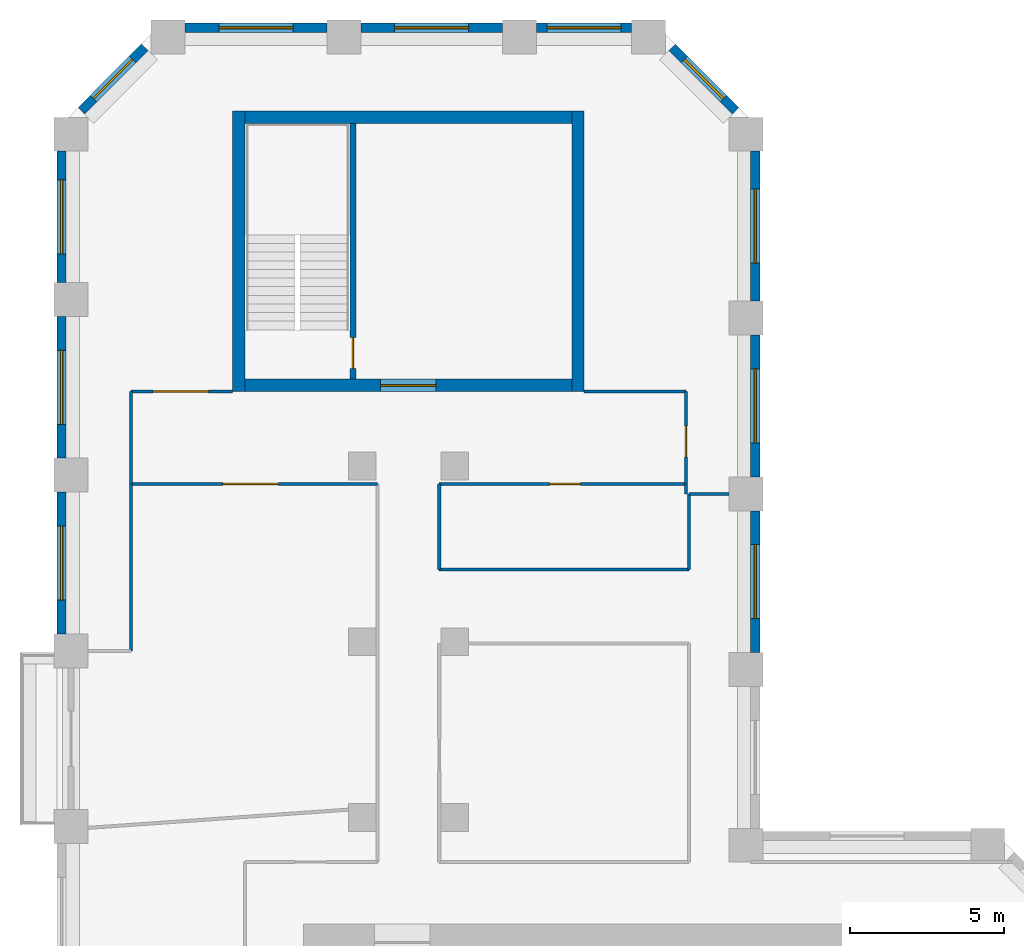
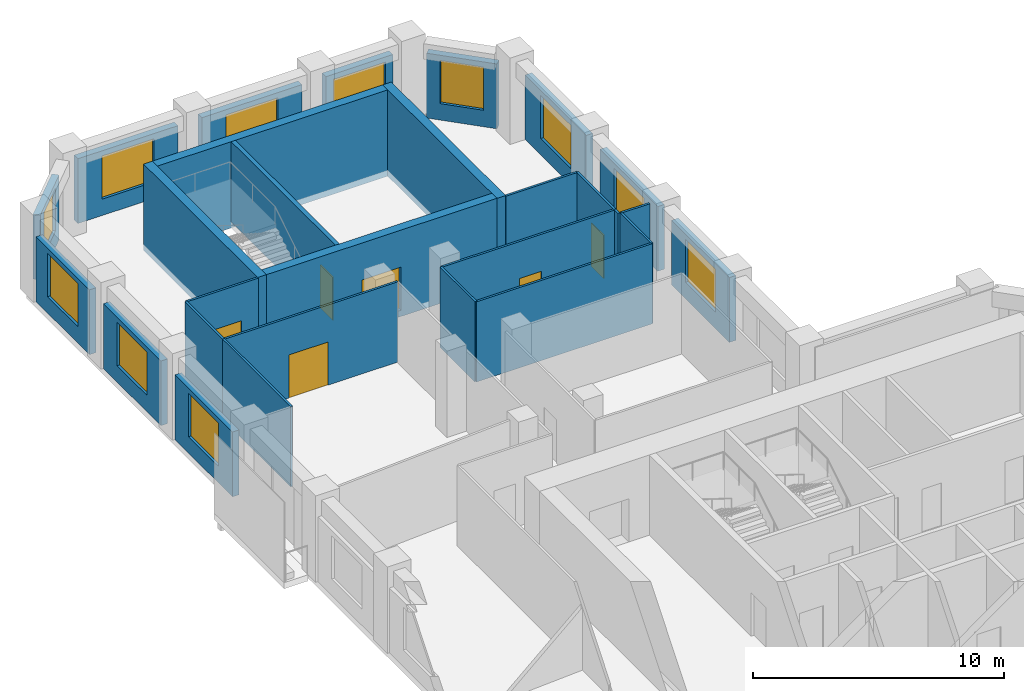
# One storey, part 8 of 10: 28 walls, 11 windows, 6 doors, 17 openings.
"""IFC4 building model written with IfcOpenShell, lengths in metres."""

import ifcopenshell
import ifcopenshell.guid

model = None  # the IFC model being written
_history = None  # IfcOwnerHistory: only IFC2X3 demands one
_inside = {}  # id of a spatial element -> (the spatial element, [elements in it])
_under = {}  # id of a project, library or spatial element -> (it, [spatial elements below it])
_declared = {}  # id of a project -> (the project, [libraries it declares])
_typed = {}  # id of a type object -> (the type object, [elements of that type])
_made_of = {}  # id of a material, layer set ... -> (it, [elements and type objects made of it])


def new_model(schema):
    """Start an empty IFC model of exactly this schema.

    Asked for "IFC4X3", IfcOpenShell would pick the latest addendum, in which some entities
    have other attributes; the version numbers below select the first issue.
    IFC2X3 requires an IfcOwnerHistory on every rooted entity: one is made here for all.
    """
    global model, _history
    if schema == "IFC4X3":
        model = ifcopenshell.file(schema_version=(4, 3, 0, 0))
    else:
        model = ifcopenshell.file(schema=schema)
    _inside.clear()
    _under.clear()
    _declared.clear()
    _typed.clear()
    _made_of.clear()
    _history = None
    if model.schema == "IFC2X3":
        org = make("IfcOrganization", Name="unknown")
        user = make(
            "IfcPersonAndOrganization",
            ThePerson=make("IfcPerson", FamilyName="unknown"),
            TheOrganization=org,
        )
        app = make(
            "IfcApplication",
            ApplicationDeveloper=org,
            Version="unknown",
            ApplicationFullName="unknown",
            ApplicationIdentifier="unknown",
        )
        _history = make(
            "IfcOwnerHistory",
            OwningUser=user,
            OwningApplication=app,
            ChangeAction="ADDED",
            CreationDate=0,
        )
    return model


def make(cls, **values):
    """One entity of the class cls with the attributes given. An attribute that is None is left unset."""
    return model.create_entity(
        cls, **{name: value for name, value in values.items() if value is not None}
    )


def rooted(cls, **values):
    """An entity with a GlobalId (a new one), such as an element, a storey or a relation."""
    return make(cls, GlobalId=ifcopenshell.guid.new(), OwnerHistory=_history, **values)


def si_unit(unit_type, name, prefix=None):
    """IfcSIUnit, for example si_unit("LENGTHUNIT", "METRE", prefix="MILLI")."""
    return make("IfcSIUnit", UnitType=unit_type, Prefix=prefix, Name=name)


def assignment(units):
    """IfcUnitAssignment: the units of a project."""
    return None if units is None else make("IfcUnitAssignment", Units=units)


def point(xyz):
    """IfcCartesianPoint."""
    return None if xyz is None else make("IfcCartesianPoint", Coordinates=xyz)


def direction(xyz):
    """IfcDirection."""
    return None if xyz is None else make("IfcDirection", DirectionRatios=xyz)


def frame(location, z_axis=None, x_axis=None):
    """IfcAxis2Placement3D, a coordinate frame: its origin and axes. An axis left out is left unset."""
    return make(
        "IfcAxis2Placement3D",
        Location=point(location),
        Axis=direction(z_axis),
        RefDirection=direction(x_axis),
    )


def frame_2d(location, x_axis=None):
    """IfcAxis2Placement2D, a coordinate frame in the plane: its origin and x axis."""
    return make(
        "IfcAxis2Placement2D", Location=point(location), RefDirection=direction(x_axis)
    )


def origin():
    """The frame at (0, 0, 0) with its axes left unset."""
    return frame((0.0, 0.0, 0.0))


def place(relative_to, where):
    """IfcLocalPlacement: puts the frame where relative to a parent placement (None: the world)."""
    return make(
        "IfcLocalPlacement", PlacementRelTo=relative_to, RelativePlacement=where
    )


def context(
    kind, dimensions, precision=None, world=None, true_north=None, identifier=None
):
    """IfcGeometricRepresentationContext, for example the 3D "Model" context."""
    return make(
        "IfcGeometricRepresentationContext",
        ContextIdentifier=identifier,
        ContextType=kind,
        CoordinateSpaceDimension=dimensions,
        Precision=precision,
        WorldCoordinateSystem=world,
        TrueNorth=true_north,
    )


def subcontext(parent, identifier, kind, view, scale=None):
    """IfcGeometricRepresentationSubContext, for example "Body" below "Model"."""
    return make(
        "IfcGeometricRepresentationSubContext",
        ContextIdentifier=identifier,
        ContextType=kind,
        ParentContext=parent,
        TargetScale=scale,
        TargetView=view,
    )


def project(units=None, contexts=None):
    """IfcProject with its units and contexts."""
    return rooted(
        "IfcProject",
        Name="project",
        RepresentationContexts=contexts,
        UnitsInContext=assignment(units),
    )


def spatial(cls, under=None, at=None, **own):
    """A site, building, storey or space (cls), placed at a placement, below another one or the project."""
    s = rooted(cls, ObjectPlacement=at, **own)
    if under is not None:
        _under.setdefault(under.id(), (under, []))[1].append(s)
    return s


def profile(cls, at=None, kind="AREA", **sizes):
    """A parametric profile (cls). Its sizes go by their IFC names, for example OverallWidth=200.0."""
    return make(cls, ProfileType=kind, Position=at, **sizes)


def rectangle(**sizes):
    """IfcRectangleProfileDef."""
    return profile("IfcRectangleProfileDef", **sizes)


def extrude(swept, where, along, depth):
    """IfcExtrudedAreaSolid: the profile swept, set in the frame where, extruded along a direction by depth."""
    return make(
        "IfcExtrudedAreaSolid",
        SweptArea=swept,
        Position=where,
        ExtrudedDirection=direction(along),
        Depth=depth,
    )


def shape(context_of_items, identifier, shape_type, items):
    """IfcShapeRepresentation: the items that make up one representation, for example the "Body"."""
    return make(
        "IfcShapeRepresentation",
        ContextOfItems=context_of_items,
        RepresentationIdentifier=identifier,
        RepresentationType=shape_type,
        Items=items,
    )


def material(Name=None, Category=None):
    """IfcMaterial."""
    return make("IfcMaterial", Name=Name, Category=Category)


def layer(
    of_material, thickness, ventilated=None, Name=None, Category=None, Priority=None
):
    """IfcMaterialLayer: one layer of a wall or slab, of a material (None: an air gap)."""
    return make(
        "IfcMaterialLayer",
        Material=of_material,
        LayerThickness=thickness,
        IsVentilated=ventilated,
        Name=Name,
        Category=Category,
        Priority=Priority,
    )


def layer_set(layers, Name=None):
    """IfcMaterialLayerSet."""
    return make("IfcMaterialLayerSet", MaterialLayers=layers, LayerSetName=Name)


def made_of(thing, what):
    """Note that an element or type object is made of a material, layer set ...; save() writes the relation."""
    if what is not None:
        _made_of.setdefault(what.id(), (what, []))[1].append(thing)
    return thing


def type_object(cls, material=None, **own):
    """A type object (cls), such as IfcWallType, which elements share."""
    return made_of(rooted(cls, **own), material)


def element(
    cls,
    number,
    at=None,
    inside=None,
    cuts=None,
    type_object=None,
    material=None,
    context=None,
    identifier="Body",
    shape_type=None,
    held_by="IfcProductDefinitionShape",
    body=None,
    shapes=None,
    **own,
):
    """One element of the class cls, such as IfcWall. Its Tag is "e" and its number.

    at: its placement. inside: the storey or other place that contains it. cuts: it is an
    opening in that element (IfcRelVoidsElement). A single representation is given by context,
    identifier, shape_type and body (its items); several are given by shapes. held_by: the class
    of the entity that holds the representations. save() writes the other relations.
    """
    e = rooted(cls, Tag="e%d" % number, ObjectPlacement=at, **own)
    if body is not None:
        shapes = [shape(context, identifier, shape_type, body)]
    if shapes is not None:
        e.Representation = make(held_by, Representations=shapes)
    if inside is not None:
        _inside.setdefault(inside.id(), (inside, []))[1].append(e)
    if cuts is not None:
        rooted(
            "IfcRelVoidsElement", RelatingBuildingElement=cuts, RelatedOpeningElement=e
        )
    if type_object is not None:
        _typed.setdefault(type_object.id(), (type_object, []))[1].append(e)
    return made_of(e, material)


def fill(opening, filler):
    """IfcRelFillsElement: the door or window that sits in an opening."""
    return rooted(
        "IfcRelFillsElement",
        RelatingOpeningElement=opening,
        RelatedBuildingElement=filler,
    )


def aggregate(whole, parts):
    """IfcRelAggregates: a whole, such as a stair, and the parts it consists of."""
    return rooted("IfcRelAggregates", RelatingObject=whole, RelatedObjects=parts)


def save(model, path):
    """Write the relations noted so far, then the file.

    IfcRelAggregates (storeys below a building ...), IfcRelContainedInSpatialStructure (elements
    in a storey), IfcRelDefinesByType, IfcRelAssociatesMaterial and IfcRelDeclares: one each for
    every whole, place, type object, material and project.
    """
    for whole, parts in _under.values():
        aggregate(whole, parts)
    for where, things in _inside.values():
        rooted(
            "IfcRelContainedInSpatialStructure",
            RelatedElements=things,
            RelatingStructure=where,
        )
    for kind, things in _typed.values():
        rooted("IfcRelDefinesByType", RelatedObjects=things, RelatingType=kind)
    for what, things in _made_of.values():
        rooted("IfcRelAssociatesMaterial", RelatedObjects=things, RelatingMaterial=what)
    for by, libraries in _declared.values():
        rooted("IfcRelDeclares", RelatingContext=by, RelatedDefinitions=libraries)
    model.write(path)


model = new_model("IFC4")

# Units and contexts
model_context = context("Model", 3, precision=1e-05, world=origin(), true_north=direction((0.0, 1.0)))
body_context = subcontext(model_context, "Body", "Model", "MODEL_VIEW")
ifc_project = project(units=[si_unit("LENGTHUNIT", "METRE"), si_unit("AREAUNIT", "SQUARE_METRE"), si_unit("VOLUMEUNIT", "CUBIC_METRE"), si_unit("PLANEANGLEUNIT", "RADIAN"), si_unit("MASSUNIT", "GRAM", prefix="KILO")], contexts=[model_context])

# Site, building, storey
site_placement = place(None, origin())
site = spatial("IfcSite", under=ifc_project, at=site_placement, CompositionType="ELEMENT")
building_placement = place(site_placement, origin())
building = spatial("IfcBuilding", under=site, at=building_placement, Name="Meshkara Civic Tower", CompositionType="ELEMENT")
storey_placement = place(building_placement, frame((0.0, 0.0, 238.199951171875)))
storey = spatial("IfcBuildingStorey", under=building, at=storey_placement, Name="L54", CompositionType="ELEMENT", Elevation=238.199951171875)

# Wall, opening, door
ifc_material_1 = material(Name="Corridor wall 100")
ifc_layer_1 = layer(ifc_material_1, 0.10009765625)
ifc_layer_set_1 = layer_set([ifc_layer_1], Name="Corridor wall 100")
wall_type_1 = type_object("IfcWallType", Name="Corridor wall 100", PredefinedType="PARTITIONING", material=ifc_layer_set_1)
wall_1_placement = place(storey_placement, frame((2.39990234375, 51.169921875, 0.0), z_axis=(0.0, 0.0, 1.0), x_axis=(1.0, 0.0, 0.0)))
wall_1 = element("IfcWall", 1, at=wall_1_placement, inside=storey, type_object=wall_type_1, Name="L54-W001", PredefinedType="PARTITIONING", context=body_context, shape_type="SweptSolid", body=[
    extrude(rectangle(XDim=8.0, YDim=0.10009765625, at=frame_2d((4.0, 0.0))), origin(), (0.0, 0.0, 1.0), 3.900146484375),
])
opening_1_placement = place(wall_1_placement, frame((2.97998046875, 0.0, 0.0)))
opening_1 = element("IfcOpeningElement", 2, at=opening_1_placement, cuts=wall_1, Name="Opening L54-D019", PredefinedType="OPENING", context=body_context, shape_type="SweptSolid", body=[
    extrude(rectangle(XDim=1.800048828125, YDim=2.10009765625, at=frame_2d((0.89990234375, 1.050048828125))), frame((0.0, 0.06005859375, 0.0), z_axis=(0.0, -1.0, 0.0), x_axis=(1.0, 0.0, 0.0)), (0.0, 0.0, 1.0), 0.1201171875),
])
ifc_material_2 = material(Name="Door pair 1800 x 2100")
door_type_1 = type_object("IfcDoorType", Name="Door pair 1800 x 2100", OperationType="SINGLE_SWING_LEFT", PredefinedType="DOOR", material=ifc_material_2)
door_1_placement = place(opening_1_placement, origin())
door_1 = element("IfcDoor", 3, at=door_1_placement, inside=storey, type_object=door_type_1, Name="L54-D019", OperationType="DOUBLE_DOOR_SINGLE_SWING", OverallHeight=2.10009765625, OverallWidth=1.800048828125, PredefinedType="DOOR", context=body_context, shape_type="SweptSolid", body=[
    extrude(rectangle(XDim=1.800048828125, YDim=2.10009765625, at=frame_2d((0.89990234375, 1.050048828125))), frame((0.0, 0.02490234375, 0.0), z_axis=(0.0, -1.0, 0.0), x_axis=(1.0, 0.0, 0.0)), (0.0, 0.0, 1.0), 0.050048828125),
])
fill(opening_1, door_1)

# Wall
wall_2_placement = place(storey_placement, frame((2.39990234375, 54.169921875, 0.0), z_axis=(0.0, 0.0, 1.0), x_axis=(0.0, -1.0, 0.0)))
element("IfcWall", 4, at=wall_2_placement, inside=storey, type_object=wall_type_1, Name="L54-W002", PredefinedType="PARTITIONING", context=body_context, shape_type="SweptSolid", body=[
    extrude(rectangle(XDim=3.0, YDim=0.10009765625, at=frame_2d((1.5, 0.0))), origin(), (0.0, 0.0, 1.0), 3.900146484375),
])

# Wall, opening, door
wall_3_placement = place(storey_placement, frame((5.699951171875, 54.169921875, 0.0), z_axis=(0.0, 0.0, 1.0), x_axis=(-1.0, 0.0, 0.0)))
wall_3 = element("IfcWall", 5, at=wall_3_placement, inside=storey, type_object=wall_type_1, Name="L54-W003", PredefinedType="PARTITIONING", context=body_context, shape_type="SweptSolid", body=[
    extrude(rectangle(XDim=3.300048828125, YDim=0.10009765625, at=frame_2d((1.64990234375, 0.0))), origin(), (0.0, 0.0, 1.0), 3.900146484375),
])
opening_2_placement = place(wall_3_placement, frame((0.780029296875, 0.0, 0.0)))
opening_2 = element("IfcOpeningElement", 6, at=opening_2_placement, cuts=wall_3, Name="Opening L54-D022", PredefinedType="OPENING", context=body_context, shape_type="SweptSolid", body=[
    extrude(rectangle(XDim=1.800048828125, YDim=2.10009765625, at=frame_2d((0.89990234375, 1.050048828125))), frame((0.0, 0.06005859375, 0.0), z_axis=(0.0, -1.0, 0.0), x_axis=(1.0, 0.0, 0.0)), (0.0, 0.0, 1.0), 0.1201171875),
])
door_2_placement = place(opening_2_placement, origin())
door_2 = element("IfcDoor", 7, at=door_2_placement, inside=storey, type_object=door_type_1, Name="L54-D022", OperationType="DOUBLE_DOOR_SINGLE_SWING", OverallHeight=2.10009765625, OverallWidth=1.800048828125, PredefinedType="DOOR", context=body_context, shape_type="SweptSolid", body=[
    extrude(rectangle(XDim=1.800048828125, YDim=2.10009765625, at=frame_2d((0.89990234375, 1.050048828125))), frame((0.0, 0.02490234375, 0.0), z_axis=(0.0, -1.0, 0.0), x_axis=(1.0, 0.0, 0.0)), (0.0, 0.0, 1.0), 0.050048828125),
])
fill(opening_2, door_2)

# Wall
wall_4_placement = place(storey_placement, frame((12.39990234375, 48.39990234375, 0.0), z_axis=(0.0, 0.0, 1.0), x_axis=(0.0, 1.0, 0.0)))
element("IfcWall", 8, at=wall_4_placement, inside=storey, type_object=wall_type_1, Name="L54-W014", PredefinedType="PARTITIONING", context=body_context, shape_type="SweptSolid", body=[
    extrude(rectangle(XDim=2.77001953125, YDim=0.10009765625, at=frame_2d((1.385009765625, 0.0))), origin(), (0.0, 0.0, 1.0), 3.900146484375),
])

# Wall, opening, door
wall_5_placement = place(storey_placement, frame((12.39990234375, 51.169921875, 0.0), z_axis=(0.0, 0.0, 1.0), x_axis=(1.0, 0.0, 0.0)))
wall_5 = element("IfcWall", 9, at=wall_5_placement, inside=storey, type_object=wall_type_1, Name="L54-W015", PredefinedType="PARTITIONING", context=body_context, shape_type="SweptSolid", body=[
    extrude(rectangle(XDim=8.0, YDim=0.10009765625, at=frame_2d((4.0, 0.0))), origin(), (0.0, 0.0, 1.0), 3.900146484375),
])
opening_3_placement = place(wall_5_placement, frame((3.580078125, 0.0, 0.0)))
opening_3 = element("IfcOpeningElement", 10, at=opening_3_placement, cuts=wall_5, Name="Opening L54-D020", PredefinedType="OPENING", context=body_context, shape_type="SweptSolid", body=[
    extrude(rectangle(XDim=1.0, YDim=2.10009765625, at=frame_2d((0.5, 1.050048828125))), frame((0.0, 0.06005859375, 0.0), z_axis=(0.0, -1.0, 0.0), x_axis=(1.0, 0.0, 0.0)), (0.0, 0.0, 1.0), 0.1201171875),
])
ifc_material_3 = material(Name="Door 1000 x 2100")
door_type_2 = type_object("IfcDoorType", Name="Door 1000 x 2100", OperationType="SINGLE_SWING_LEFT", PredefinedType="DOOR", material=ifc_material_3)
door_3_placement = place(opening_3_placement, origin())
door_3 = element("IfcDoor", 11, at=door_3_placement, inside=storey, type_object=door_type_2, Name="L54-D020", OperationType="SINGLE_SWING_LEFT", OverallHeight=2.10009765625, OverallWidth=1.0, PredefinedType="DOOR", context=body_context, shape_type="SweptSolid", body=[
    extrude(rectangle(XDim=1.0, YDim=2.10009765625, at=frame_2d((0.5, 1.050048828125))), frame((0.0, 0.02490234375, 0.0), z_axis=(0.0, -1.0, 0.0), x_axis=(1.0, 0.0, 0.0)), (0.0, 0.0, 1.0), 0.050048828125),
])
fill(opening_3, door_3)

wall_6_placement = place(storey_placement, frame((20.39990234375, 51.169921875, 0.0), z_axis=(0.0, 0.0, 1.0), x_axis=(0.0, 1.0, 0.0)))
wall_6 = element("IfcWall", 12, at=wall_6_placement, inside=storey, type_object=wall_type_1, Name="L54-W018", PredefinedType="PARTITIONING", context=body_context, shape_type="SweptSolid", body=[
    extrude(rectangle(XDim=3.0, YDim=0.10009765625, at=frame_2d((1.5, 0.0))), origin(), (0.0, 0.0, 1.0), 3.900146484375),
])
opening_4_placement = place(wall_6_placement, frame((0.8798828125, 0.0, 0.0)))
opening_4 = element("IfcOpeningElement", 13, at=opening_4_placement, cuts=wall_6, Name="Opening L54-D021", PredefinedType="OPENING", context=body_context, shape_type="SweptSolid", body=[
    extrude(rectangle(XDim=1.0, YDim=2.10009765625, at=frame_2d((0.5, 1.050048828125))), frame((0.0, 0.06005859375, 0.0), z_axis=(0.0, -1.0, 0.0), x_axis=(1.0, 0.0, 0.0)), (0.0, 0.0, 1.0), 0.1201171875),
])
door_4_placement = place(opening_4_placement, origin())
door_4 = element("IfcDoor", 14, at=door_4_placement, inside=storey, type_object=door_type_2, Name="L54-D021", OperationType="SINGLE_SWING_RIGHT", OverallHeight=2.10009765625, OverallWidth=1.0, PredefinedType="DOOR", context=body_context, shape_type="SweptSolid", body=[
    extrude(rectangle(XDim=1.0, YDim=2.10009765625, at=frame_2d((0.5, 1.050048828125))), frame((0.0, 0.02490234375, 0.0), z_axis=(0.0, -1.0, 0.0), x_axis=(1.0, 0.0, 0.0)), (0.0, 0.0, 1.0), 0.050048828125),
])
fill(opening_4, door_4)

# Walls
wall_7_placement = place(storey_placement, frame((20.39990234375, 54.169921875, 0.0), z_axis=(0.0, 0.0, 1.0), x_axis=(-1.0, 0.0, 0.0)))
element("IfcWall", 15, at=wall_7_placement, inside=storey, type_object=wall_type_1, Name="L54-W019", PredefinedType="PARTITIONING", context=body_context, shape_type="SweptSolid", body=[
    extrude(rectangle(XDim=3.2998046875, YDim=0.10009765625, at=frame_2d((1.64990234375, 0.0))), origin(), (0.0, 0.0, 1.0), 3.900146484375),
])
wall_8_placement = place(storey_placement, frame((20.5, 48.39990234375, 0.0), z_axis=(0.0, 0.0, 1.0), x_axis=(-1.0, 0.0, 0.0)))
element("IfcWall", 16, at=wall_8_placement, inside=storey, type_object=wall_type_1, Name="L54-W022", PredefinedType="PARTITIONING", context=body_context, shape_type="SweptSolid", body=[
    extrude(rectangle(XDim=8.10009765625, YDim=0.10009765625, at=frame_2d((4.050048828125, 0.0))), origin(), (0.0, 0.0, 1.0), 3.900146484375),
])
wall_9_placement = place(storey_placement, frame((20.5, 50.85009765625, 0.0), z_axis=(0.0, 0.0, 1.0), x_axis=(0.0, -1.0, 0.0)))
element("IfcWall", 17, at=wall_9_placement, inside=storey, type_object=wall_type_1, Name="L54-W023", PredefinedType="PARTITIONING", context=body_context, shape_type="SweptSolid", body=[
    extrude(rectangle(XDim=2.4501953125, YDim=0.10009765625, at=frame_2d((1.22509765625, 0.0))), origin(), (0.0, 0.0, 1.0), 3.900146484375),
])
wall_10_placement = place(storey_placement, frame((21.800048828125, 50.85009765625, 0.0), z_axis=(0.0, 0.0, 1.0), x_axis=(-1.0, 0.0, 0.0)))
element("IfcWall", 18, at=wall_10_placement, inside=storey, type_object=wall_type_1, Name="L54-W024", PredefinedType="PARTITIONING", context=body_context, shape_type="SweptSolid", body=[
    extrude(rectangle(XDim=1.300048828125, YDim=0.10009765625, at=frame_2d((0.64990234375, 0.0))), origin(), (0.0, 0.0, 1.0), 3.900146484375),
])

# Wall, opening, window
ifc_material_4 = material(Name="Insulated infill panel with bronze anodised aluminium cladding", Category="aluminium")
ifc_layer_2 = layer(ifc_material_4, 0.300048828125)
ifc_layer_set_2 = layer_set([ifc_layer_2], Name="EXTERNAL INFILL WALL 300")
wall_type_2 = type_object("IfcWallType", Name="EXTERNAL INFILL WALL 300", PredefinedType="SOLIDWALL", material=ifc_layer_set_2)
wall_11_placement = place(storey_placement, frame((22.64990234375, 45.699951171875, 0.0), z_axis=(0.0, 0.0, 1.0), x_axis=(0.0, 1.0, 0.0)))
wall_11 = element("IfcWall", 19, at=wall_11_placement, inside=storey, type_object=wall_type_2, Name="External wall", PredefinedType="SOLIDWALL", context=body_context, shape_type="SweptSolid", body=[
    extrude(rectangle(XDim=4.60009765625, YDim=0.300048828125, at=frame_2d((2.300048828125, 0.0))), origin(), (0.0, 0.0, 1.0), 3.150146484375),
])
opening_5_placement = place(wall_11_placement, frame((1.10009765625, 0.0, 0.800048828125)))
opening_5 = element("IfcOpeningElement", 20, at=opening_5_placement, cuts=wall_11, Name="Opening W7", PredefinedType="OPENING", context=body_context, shape_type="SweptSolid", body=[
    extrude(rectangle(XDim=2.39990234375, YDim=2.10009765625, at=frame_2d((1.199951171875, 1.050048828125))), frame((0.0, 0.159912109375, 0.0), z_axis=(0.0, -1.0, 0.0), x_axis=(1.0, 0.0, 0.0)), (0.0, 0.0, 1.0), 0.320068359375),
])
ifc_material_5 = material(Name="Tinted double glazing", Category="glass")
window_type_1 = type_object("IfcWindowType", Name="WINDOW 2400x2100", PartitioningType="DOUBLE_PANEL_VERTICAL", PredefinedType="WINDOW", material=ifc_material_5)
window_1_placement = place(opening_5_placement, origin())
window_1 = element("IfcWindow", 21, at=window_1_placement, inside=storey, type_object=window_type_1, Name="Window", OverallHeight=2.10009765625, OverallWidth=2.39990234375, PartitioningType="DOUBLE_PANEL_VERTICAL", PredefinedType="WINDOW", context=body_context, shape_type="SweptSolid", body=[
    extrude(rectangle(XDim=2.39990234375, YDim=2.10009765625, at=frame_2d((1.199951171875, 1.050048828125))), frame((0.0, 0.030029296875, 0.0), z_axis=(0.0, -1.0, 0.0), x_axis=(1.0, 0.0, 0.0)), (0.0, 0.0, 1.0), 0.06005859375),
])
fill(opening_5, window_1)

wall_12_placement = place(storey_placement, frame((22.64990234375, 51.39990234375, 0.0), z_axis=(0.0, 0.0, 1.0), x_axis=(0.0, 1.0, 0.0)))
wall_12 = element("IfcWall", 22, at=wall_12_placement, inside=storey, type_object=wall_type_2, Name="External wall", PredefinedType="SOLIDWALL", context=body_context, shape_type="SweptSolid", body=[
    extrude(rectangle(XDim=4.60009765625, YDim=0.300048828125, at=frame_2d((2.300048828125, 0.0))), origin(), (0.0, 0.0, 1.0), 3.150146484375),
])
opening_6_placement = place(wall_12_placement, frame((1.10009765625, 0.0, 0.800048828125)))
opening_6 = element("IfcOpeningElement", 23, at=opening_6_placement, cuts=wall_12, Name="Opening W7", PredefinedType="OPENING", context=body_context, shape_type="SweptSolid", body=[
    extrude(rectangle(XDim=2.39990234375, YDim=2.10009765625, at=frame_2d((1.199951171875, 1.050048828125))), frame((0.0, 0.159912109375, 0.0), z_axis=(0.0, -1.0, 0.0), x_axis=(1.0, 0.0, 0.0)), (0.0, 0.0, 1.0), 0.320068359375),
])
window_2_placement = place(opening_6_placement, origin())
window_2 = element("IfcWindow", 24, at=window_2_placement, inside=storey, type_object=window_type_1, Name="Window", OverallHeight=2.10009765625, OverallWidth=2.39990234375, PartitioningType="DOUBLE_PANEL_VERTICAL", PredefinedType="WINDOW", context=body_context, shape_type="SweptSolid", body=[
    extrude(rectangle(XDim=2.39990234375, YDim=2.10009765625, at=frame_2d((1.199951171875, 1.050048828125))), frame((0.0, 0.030029296875, 0.0), z_axis=(0.0, -1.0, 0.0), x_axis=(1.0, 0.0, 0.0)), (0.0, 0.0, 1.0), 0.06005859375),
])
fill(opening_6, window_2)

wall_13_placement = place(storey_placement, frame((22.64990234375, 57.10009765625, 0.0), z_axis=(0.0, 0.0, 1.0), x_axis=(0.0, 1.0, 0.0)))
wall_13 = element("IfcWall", 25, at=wall_13_placement, inside=storey, type_object=wall_type_2, Name="External wall", PredefinedType="SOLIDWALL", context=body_context, shape_type="SweptSolid", body=[
    extrude(rectangle(XDim=4.864013671875, YDim=0.300048828125, at=frame_2d((2.43212890625, 0.0))), origin(), (0.0, 0.0, 1.0), 3.150146484375),
])
opening_7_placement = place(wall_13_placement, frame((1.23193359375, 0.0, 0.800048828125)))
opening_7 = element("IfcOpeningElement", 26, at=opening_7_placement, cuts=wall_13, Name="Opening W7", PredefinedType="OPENING", context=body_context, shape_type="SweptSolid", body=[
    extrude(rectangle(XDim=2.39990234375, YDim=2.10009765625, at=frame_2d((1.199951171875, 1.050048828125))), frame((0.0, 0.159912109375, 0.0), z_axis=(0.0, -1.0, 0.0), x_axis=(1.0, 0.0, 0.0)), (0.0, 0.0, 1.0), 0.320068359375),
])
window_3_placement = place(opening_7_placement, origin())
window_3 = element("IfcWindow", 27, at=window_3_placement, inside=storey, type_object=window_type_1, Name="Window", OverallHeight=2.10009765625, OverallWidth=2.39990234375, PartitioningType="DOUBLE_PANEL_VERTICAL", PredefinedType="WINDOW", context=body_context, shape_type="SweptSolid", body=[
    extrude(rectangle(XDim=2.39990234375, YDim=2.10009765625, at=frame_2d((1.199951171875, 1.050048828125))), frame((0.0, 0.030029296875, 0.0), z_axis=(0.0, -1.0, 0.0), x_axis=(1.0, 0.0, 0.0)), (0.0, 0.0, 1.0), 0.06005859375),
])
fill(opening_7, window_3)

wall_14_placement = place(storey_placement, frame((22.011962890625, 63.27587890625, 0.0), z_axis=(0.0, 0.0, 1.0), x_axis=(-0.707064797706, 0.707148762175, 0.0)))
wall_14 = element("IfcWall", 28, at=wall_14_placement, inside=storey, type_object=wall_type_2, Name="External wall", PredefinedType="SOLIDWALL", context=body_context, shape_type="SweptSolid", body=[
    extrude(rectangle(XDim=2.90771484375, YDim=0.300048828125, at=frame_2d((1.453857421875, 0.0))), origin(), (0.0, 0.0, 1.0), 3.150146484375),
])
opening_8_placement = place(wall_14_placement, frame((0.553955078125, 0.0, 0.800048828125)))
opening_8 = element("IfcOpeningElement", 29, at=opening_8_placement, cuts=wall_14, Name="Opening W9", PredefinedType="OPENING", context=body_context, shape_type="SweptSolid", body=[
    extrude(rectangle(XDim=1.800048828125, YDim=2.10009765625, at=frame_2d((0.89990234375, 1.050048828125))), frame((0.0, 0.159912109375, 0.0), z_axis=(0.0, -1.0, 0.0), x_axis=(1.0, 0.0, 0.0)), (0.0, 0.0, 1.0), 0.320068359375),
])
ifc_material_6 = material(Name="Tinted double glazing", Category="glass")
window_type_2 = type_object("IfcWindowType", Name="WINDOW 1800x2100", PartitioningType="DOUBLE_PANEL_VERTICAL", PredefinedType="WINDOW", material=ifc_material_6)
window_4_placement = place(opening_8_placement, origin())
window_4 = element("IfcWindow", 30, at=window_4_placement, inside=storey, type_object=window_type_2, Name="Window", OverallHeight=2.10009765625, OverallWidth=1.800048828125, PartitioningType="DOUBLE_PANEL_VERTICAL", PredefinedType="WINDOW", context=body_context, shape_type="SweptSolid", body=[
    extrude(rectangle(XDim=1.800048828125, YDim=2.10009765625, at=frame_2d((0.89990234375, 1.050048828125))), frame((0.0, 0.030029296875, 0.0), z_axis=(0.0, -1.0, 0.0), x_axis=(1.0, 0.0, 0.0)), (0.0, 0.0, 1.0), 0.06005859375),
])
fill(opening_8, window_4)

wall_15_placement = place(storey_placement, frame((18.64404296875, 65.969970703125, 0.0), z_axis=(0.0, 0.0, 1.0), x_axis=(-1.0, 0.0, 0.0)))
wall_15 = element("IfcWall", 31, at=wall_15_placement, inside=storey, type_object=wall_type_2, Name="External wall", PredefinedType="SOLIDWALL", context=body_context, shape_type="SweptSolid", body=[
    extrude(rectangle(XDim=3.088134765625, YDim=0.300048828125, at=frame_2d((1.5439453125, 0.0))), origin(), (0.0, 0.0, 1.0), 3.150146484375),
])
opening_9_placement = place(wall_15_placement, frame((0.343994140625, 0.0, 0.800048828125)))
opening_9 = element("IfcOpeningElement", 32, at=opening_9_placement, cuts=wall_15, Name="Opening W7", PredefinedType="OPENING", context=body_context, shape_type="SweptSolid", body=[
    extrude(rectangle(XDim=2.39990234375, YDim=2.10009765625, at=frame_2d((1.199951171875, 1.050048828125))), frame((0.0, 0.159912109375, 0.0), z_axis=(0.0, -1.0, 0.0), x_axis=(1.0, 0.0, 0.0)), (0.0, 0.0, 1.0), 0.320068359375),
])
window_5_placement = place(opening_9_placement, origin())
window_5 = element("IfcWindow", 33, at=window_5_placement, inside=storey, type_object=window_type_1, Name="Window", OverallHeight=2.10009765625, OverallWidth=2.39990234375, PartitioningType="DOUBLE_PANEL_VERTICAL", PredefinedType="WINDOW", context=body_context, shape_type="SweptSolid", body=[
    extrude(rectangle(XDim=2.39990234375, YDim=2.10009765625, at=frame_2d((1.199951171875, 1.050048828125))), frame((0.0, 0.030029296875, 0.0), z_axis=(0.0, -1.0, 0.0), x_axis=(1.0, 0.0, 0.0)), (0.0, 0.0, 1.0), 0.06005859375),
])
fill(opening_9, window_5)

wall_16_placement = place(storey_placement, frame((14.4560546875, 65.969970703125, 0.0), z_axis=(0.0, 0.0, 1.0), x_axis=(-1.0, 0.0, 0.0)))
wall_16 = element("IfcWall", 34, at=wall_16_placement, inside=storey, type_object=wall_type_2, Name="External wall", PredefinedType="SOLIDWALL", context=body_context, shape_type="SweptSolid", body=[
    extrude(rectangle(XDim=4.60009765625, YDim=0.300048828125, at=frame_2d((2.300048828125, 0.0))), origin(), (0.0, 0.0, 1.0), 3.150146484375),
])
opening_10_placement = place(wall_16_placement, frame((1.10009765625, 0.0, 0.800048828125)))
opening_10 = element("IfcOpeningElement", 35, at=opening_10_placement, cuts=wall_16, Name="Opening W7", PredefinedType="OPENING", context=body_context, shape_type="SweptSolid", body=[
    extrude(rectangle(XDim=2.39990234375, YDim=2.10009765625, at=frame_2d((1.199951171875, 1.050048828125))), frame((0.0, 0.159912109375, 0.0), z_axis=(0.0, -1.0, 0.0), x_axis=(1.0, 0.0, 0.0)), (0.0, 0.0, 1.0), 0.320068359375),
])
window_6_placement = place(opening_10_placement, origin())
window_6 = element("IfcWindow", 36, at=window_6_placement, inside=storey, type_object=window_type_1, Name="Window", OverallHeight=2.10009765625, OverallWidth=2.39990234375, PartitioningType="DOUBLE_PANEL_VERTICAL", PredefinedType="WINDOW", context=body_context, shape_type="SweptSolid", body=[
    extrude(rectangle(XDim=2.39990234375, YDim=2.10009765625, at=frame_2d((1.199951171875, 1.050048828125))), frame((0.0, 0.030029296875, 0.0), z_axis=(0.0, -1.0, 0.0), x_axis=(1.0, 0.0, 0.0)), (0.0, 0.0, 1.0), 0.06005859375),
])
fill(opening_10, window_6)

wall_17_placement = place(storey_placement, frame((8.756103515625, 65.969970703125, 0.0), z_axis=(0.0, 0.0, 1.0), x_axis=(-1.0, 0.0, 0.0)))
wall_17 = element("IfcWall", 37, at=wall_17_placement, inside=storey, type_object=wall_type_2, Name="External wall", PredefinedType="SOLIDWALL", context=body_context, shape_type="SweptSolid", body=[
    extrude(rectangle(XDim=4.60009765625, YDim=0.300048828125, at=frame_2d((2.300048828125, 0.0))), origin(), (0.0, 0.0, 1.0), 3.150146484375),
])
opening_11_placement = place(wall_17_placement, frame((1.10009765625, 0.0, 0.800048828125)))
opening_11 = element("IfcOpeningElement", 38, at=opening_11_placement, cuts=wall_17, Name="Opening W7", PredefinedType="OPENING", context=body_context, shape_type="SweptSolid", body=[
    extrude(rectangle(XDim=2.39990234375, YDim=2.10009765625, at=frame_2d((1.199951171875, 1.050048828125))), frame((0.0, 0.159912109375, 0.0), z_axis=(0.0, -1.0, 0.0), x_axis=(1.0, 0.0, 0.0)), (0.0, 0.0, 1.0), 0.320068359375),
])
window_7_placement = place(opening_11_placement, origin())
window_7 = element("IfcWindow", 39, at=window_7_placement, inside=storey, type_object=window_type_1, Name="Window", OverallHeight=2.10009765625, OverallWidth=2.39990234375, PartitioningType="DOUBLE_PANEL_VERTICAL", PredefinedType="WINDOW", context=body_context, shape_type="SweptSolid", body=[
    extrude(rectangle(XDim=2.39990234375, YDim=2.10009765625, at=frame_2d((1.199951171875, 1.050048828125))), frame((0.0, 0.030029296875, 0.0), z_axis=(0.0, -1.0, 0.0), x_axis=(1.0, 0.0, 0.0)), (0.0, 0.0, 1.0), 0.06005859375),
])
fill(opening_11, window_7)

wall_18_placement = place(storey_placement, frame((2.843994140625, 65.33203125, 0.0), z_axis=(0.0, 0.0, 1.0), x_axis=(-0.707064797706, -0.707148762175, 0.0)))
wall_18 = element("IfcWall", 40, at=wall_18_placement, inside=storey, type_object=wall_type_2, Name="External wall", PredefinedType="SOLIDWALL", context=body_context, shape_type="SweptSolid", body=[
    extrude(rectangle(XDim=2.90771484375, YDim=0.300048828125, at=frame_2d((1.453857421875, 0.0))), origin(), (0.0, 0.0, 1.0), 3.150146484375),
])
opening_12_placement = place(wall_18_placement, frame((0.553955078125, 0.0, 0.800048828125)))
opening_12 = element("IfcOpeningElement", 41, at=opening_12_placement, cuts=wall_18, Name="Opening W9", PredefinedType="OPENING", context=body_context, shape_type="SweptSolid", body=[
    extrude(rectangle(XDim=1.800048828125, YDim=2.10009765625, at=frame_2d((0.89990234375, 1.050048828125))), frame((0.0, 0.159912109375, 0.0), z_axis=(0.0, -1.0, 0.0), x_axis=(1.0, 0.0, 0.0)), (0.0, 0.0, 1.0), 0.320068359375),
])
window_8_placement = place(opening_12_placement, origin())
window_8 = element("IfcWindow", 42, at=window_8_placement, inside=storey, type_object=window_type_2, Name="Window", OverallHeight=2.10009765625, OverallWidth=1.800048828125, PartitioningType="DOUBLE_PANEL_VERTICAL", PredefinedType="WINDOW", context=body_context, shape_type="SweptSolid", body=[
    extrude(rectangle(XDim=1.800048828125, YDim=2.10009765625, at=frame_2d((0.89990234375, 1.050048828125))), frame((0.0, 0.030029296875, 0.0), z_axis=(0.0, -1.0, 0.0), x_axis=(1.0, 0.0, 0.0)), (0.0, 0.0, 1.0), 0.06005859375),
])
fill(opening_12, window_8)

wall_19_placement = place(storey_placement, frame((0.14990234375, 61.964111328125, 0.0), z_axis=(0.0, 0.0, 1.0), x_axis=(0.0, -1.0, 0.0)))
wall_19 = element("IfcWall", 43, at=wall_19_placement, inside=storey, type_object=wall_type_2, Name="External wall", PredefinedType="SOLIDWALL", context=body_context, shape_type="SweptSolid", body=[
    extrude(rectangle(XDim=4.259033203125, YDim=0.300048828125, at=frame_2d((2.12939453125, 0.0))), origin(), (0.0, 0.0, 1.0), 3.150146484375),
])
opening_13_placement = place(wall_19_placement, frame((0.929931640625, 0.0, 0.800048828125)))
opening_13 = element("IfcOpeningElement", 44, at=opening_13_placement, cuts=wall_19, Name="Opening W7", PredefinedType="OPENING", context=body_context, shape_type="SweptSolid", body=[
    extrude(rectangle(XDim=2.39990234375, YDim=2.10009765625, at=frame_2d((1.199951171875, 1.050048828125))), frame((0.0, 0.159912109375, 0.0), z_axis=(0.0, -1.0, 0.0), x_axis=(1.0, 0.0, 0.0)), (0.0, 0.0, 1.0), 0.320068359375),
])
window_9_placement = place(opening_13_placement, origin())
window_9 = element("IfcWindow", 45, at=window_9_placement, inside=storey, type_object=window_type_1, Name="Window", OverallHeight=2.10009765625, OverallWidth=2.39990234375, PartitioningType="DOUBLE_PANEL_VERTICAL", PredefinedType="WINDOW", context=body_context, shape_type="SweptSolid", body=[
    extrude(rectangle(XDim=2.39990234375, YDim=2.10009765625, at=frame_2d((1.199951171875, 1.050048828125))), frame((0.0, 0.030029296875, 0.0), z_axis=(0.0, -1.0, 0.0), x_axis=(1.0, 0.0, 0.0)), (0.0, 0.0, 1.0), 0.06005859375),
])
fill(opening_13, window_9)

wall_20_placement = place(storey_placement, frame((0.14990234375, 56.60498046875, 0.0), z_axis=(0.0, 0.0, 1.0), x_axis=(0.0, -1.0, 0.0)))
wall_20 = element("IfcWall", 46, at=wall_20_placement, inside=storey, type_object=wall_type_2, Name="External wall", PredefinedType="SOLIDWALL", context=body_context, shape_type="SweptSolid", body=[
    extrude(rectangle(XDim=4.60009765625, YDim=0.300048828125, at=frame_2d((2.300048828125, 0.0))), origin(), (0.0, 0.0, 1.0), 3.150146484375),
])
opening_14_placement = place(wall_20_placement, frame((1.10009765625, 0.0, 0.800048828125)))
opening_14 = element("IfcOpeningElement", 47, at=opening_14_placement, cuts=wall_20, Name="Opening W7", PredefinedType="OPENING", context=body_context, shape_type="SweptSolid", body=[
    extrude(rectangle(XDim=2.39990234375, YDim=2.10009765625, at=frame_2d((1.199951171875, 1.050048828125))), frame((0.0, 0.159912109375, 0.0), z_axis=(0.0, -1.0, 0.0), x_axis=(1.0, 0.0, 0.0)), (0.0, 0.0, 1.0), 0.320068359375),
])
window_10_placement = place(opening_14_placement, origin())
window_10 = element("IfcWindow", 48, at=window_10_placement, inside=storey, type_object=window_type_1, Name="Window", OverallHeight=2.10009765625, OverallWidth=2.39990234375, PartitioningType="DOUBLE_PANEL_VERTICAL", PredefinedType="WINDOW", context=body_context, shape_type="SweptSolid", body=[
    extrude(rectangle(XDim=2.39990234375, YDim=2.10009765625, at=frame_2d((1.199951171875, 1.050048828125))), frame((0.0, 0.030029296875, 0.0), z_axis=(0.0, -1.0, 0.0), x_axis=(1.0, 0.0, 0.0)), (0.0, 0.0, 1.0), 0.06005859375),
])
fill(opening_14, window_10)

wall_21_placement = place(storey_placement, frame((0.14990234375, 50.905029296875, 0.0), z_axis=(0.0, 0.0, 1.0), x_axis=(0.0, -1.0, 0.0)))
wall_21 = element("IfcWall", 49, at=wall_21_placement, inside=storey, type_object=wall_type_2, Name="External wall", PredefinedType="SOLIDWALL", context=body_context, shape_type="SweptSolid", body=[
    extrude(rectangle(XDim=4.60009765625, YDim=0.300048828125, at=frame_2d((2.300048828125, 0.0))), origin(), (0.0, 0.0, 1.0), 3.150146484375),
])
opening_15_placement = place(wall_21_placement, frame((1.10009765625, 0.0, 0.800048828125)))
opening_15 = element("IfcOpeningElement", 50, at=opening_15_placement, cuts=wall_21, Name="Opening W7", PredefinedType="OPENING", context=body_context, shape_type="SweptSolid", body=[
    extrude(rectangle(XDim=2.39990234375, YDim=2.10009765625, at=frame_2d((1.199951171875, 1.050048828125))), frame((0.0, 0.159912109375, 0.0), z_axis=(0.0, -1.0, 0.0), x_axis=(1.0, 0.0, 0.0)), (0.0, 0.0, 1.0), 0.320068359375),
])
window_11_placement = place(opening_15_placement, origin())
window_11 = element("IfcWindow", 51, at=window_11_placement, inside=storey, type_object=window_type_1, Name="Window", OverallHeight=2.10009765625, OverallWidth=2.39990234375, PartitioningType="DOUBLE_PANEL_VERTICAL", PredefinedType="WINDOW", context=body_context, shape_type="SweptSolid", body=[
    extrude(rectangle(XDim=2.39990234375, YDim=2.10009765625, at=frame_2d((1.199951171875, 1.050048828125))), frame((0.0, 0.030029296875, 0.0), z_axis=(0.0, -1.0, 0.0), x_axis=(1.0, 0.0, 0.0)), (0.0, 0.0, 1.0), 0.06005859375),
])
fill(opening_15, window_11)

# Walls
ifc_material_7 = material(Name="Concrete C60", Category="concrete")
ifc_layer_3 = layer(ifc_material_7, 0.39990234375)
ifc_layer_set_3 = layer_set([ifc_layer_3], Name="End core ring wall 400 C60")
wall_type_3 = type_object("IfcWallType", Name="End core ring wall 400 C60", PredefinedType="SHEAR", material=ifc_layer_set_3)
for number, where, z_axis, x_axis, name in (
    (52, (5.89990234375, 54.169921875, -0.300048828125), (0.0, 0.0, 1.0), (0.0, 1.0, 0.0), "L54-C023"),
    (53, (16.89990234375, 54.169921875, -0.300048828125), (0.0, 0.0, 1.0), (0.0, 1.0, 0.0), "L54-C024"),
):
    element("IfcWall", number, at=place(storey_placement, frame(where, z_axis=z_axis, x_axis=x_axis)), inside=storey, type_object=wall_type_3, Name=name, PredefinedType="SHEAR", context=body_context, shape_type="SweptSolid", body=[
        extrude(rectangle(XDim=9.10009765625, YDim=0.39990234375, at=frame_2d((4.550048828125, 0.0))), origin(), (0.0, 0.0, 1.0), 4.2001953125),
    ])

# Wall, opening, door
wall_22_placement = place(storey_placement, frame((6.10009765625, 54.3701171875, -0.300048828125), z_axis=(0.0, 0.0, 1.0), x_axis=(1.0, 0.0, 0.0)))
wall_22 = element("IfcWall", 54, at=wall_22_placement, inside=storey, type_object=wall_type_3, Name="L54-C025", PredefinedType="SHEAR", context=body_context, shape_type="SweptSolid", body=[
    extrude(rectangle(XDim=10.599853515625, YDim=0.39990234375, at=frame_2d((5.2998046875, 0.0))), origin(), (0.0, 0.0, 1.0), 4.2001953125),
])
opening_16_placement = place(wall_22_placement, frame((4.39990234375, 0.0, 0.300048828125)))
opening_16 = element("IfcOpeningElement", 55, at=opening_16_placement, cuts=wall_22, Name="Opening L54-K102", PredefinedType="OPENING", context=body_context, shape_type="SweptSolid", body=[
    extrude(rectangle(XDim=1.800048828125, YDim=2.10009765625, at=frame_2d((0.89990234375, 1.050048828125))), frame((0.0, 0.2099609375, 0.0), z_axis=(0.0, -1.0, 0.0), x_axis=(1.0, 0.0, 0.0)), (0.0, 0.0, 1.0), 0.419921875),
])
ifc_material_8 = material(Name="Fire-rated door leaf in steel frame", Category="steel")
door_type_3 = type_object("IfcDoorType", Name="Core double door 1800 EI 60", OperationType="DOUBLE_DOOR_SINGLE_SWING", PredefinedType="DOOR", material=ifc_material_8)
door_5_placement = place(opening_16_placement, origin())
door_5 = element("IfcDoor", 56, at=door_5_placement, inside=storey, type_object=door_type_3, Name="L54-K102", OperationType="DOUBLE_DOOR_SINGLE_SWING", OverallHeight=2.10009765625, OverallWidth=1.800048828125, PredefinedType="DOOR", context=body_context, shape_type="SweptSolid", body=[
    extrude(rectangle(XDim=1.800048828125, YDim=2.10009765625, at=frame_2d((0.89990234375, 1.050048828125))), frame((0.0, 0.02490234375, 0.0), z_axis=(0.0, -1.0, 0.0), x_axis=(1.0, 0.0, 0.0)), (0.0, 0.0, 1.0), 0.050048828125),
])
fill(opening_16, door_5)

# Walls
wall_23_placement = place(storey_placement, frame((6.10009765625, 63.070068359375, -0.300048828125), z_axis=(0.0, 0.0, 1.0), x_axis=(1.0, 0.0, 0.0)))
element("IfcWall", 57, at=wall_23_placement, inside=storey, type_object=wall_type_3, Name="L54-C026", PredefinedType="SHEAR", context=body_context, shape_type="SweptSolid", body=[
    extrude(rectangle(XDim=10.599853515625, YDim=0.39990234375, at=frame_2d((5.2998046875, 0.0))), origin(), (0.0, 0.0, 1.0), 4.2001953125),
])
ifc_material_9 = material(Name="Partition 100")
ifc_layer_4 = layer(ifc_material_9, 0.10009765625)
ifc_layer_set_4 = layer_set([ifc_layer_4], Name="Partition 100")
wall_type_4 = type_object("IfcWallType", Name="Partition 100", PredefinedType="PARTITIONING", material=ifc_layer_set_4)
wall_24_placement = place(storey_placement, frame((2.39990234375, 51.174072265625, 0.0), z_axis=(0.0, 0.0, 1.0), x_axis=(0.0, -1.0, 0.0)))
element("IfcWall", 58, at=wall_24_placement, inside=storey, type_object=wall_type_4, Name="L54-W039", PredefinedType="PARTITIONING", context=body_context, shape_type="SweptSolid", body=[
    extrude(rectangle(XDim=5.419189453125, YDim=0.10009765625, at=frame_2d((2.70947265625, 0.0))), origin(), (0.0, 0.0, 1.0), 3.900146484375),
])
wall_25_placement = place(storey_placement, frame((20.39990234375, 50.85009765625, 0.0), z_axis=(0.0, 0.0, 1.0), x_axis=(0.0, 1.0, 0.0)))
element("IfcWall", 59, at=wall_25_placement, inside=storey, type_object=wall_type_4, Name="L54-W048", PredefinedType="PARTITIONING", context=body_context, shape_type="SweptSolid", body=[
    extrude(rectangle(XDim=0.323974609375, YDim=0.10009765625, at=frame_2d((0.162109375, 0.0))), origin(), (0.0, 0.0, 1.0), 3.900146484375),
])

# Wall, opening, door
ifc_material_10 = material(Name="Concrete C40/50", Category="concrete")
ifc_layer_5 = layer(ifc_material_10, 0.199951171875)
ifc_layer_set_5 = layer_set([ifc_layer_5], Name="Stair enclosure wall 200 C40/50")
wall_type_5 = type_object("IfcWallType", Name="Stair enclosure wall 200 C40/50", PredefinedType="SOLIDWALL", material=ifc_layer_set_5)
wall_26_placement = place(storey_placement, frame((9.60009765625, 54.570068359375, 0.0), z_axis=(0.0, 0.0, 1.0), x_axis=(0.0, 1.0, 0.0)))
wall_26 = element("IfcWall", 60, at=wall_26_placement, inside=storey, type_object=wall_type_5, Name="L54-C027", PredefinedType="SOLIDWALL", context=body_context, shape_type="SweptSolid", body=[
    extrude(rectangle(XDim=8.300048828125, YDim=0.199951171875, at=frame_2d((4.14990234375, 0.0))), origin(), (0.0, 0.0, 1.0), 3.900146484375),
])
opening_17_placement = place(wall_26_placement, frame((0.35009765625, 0.0, 0.0)))
opening_17 = element("IfcOpeningElement", 61, at=opening_17_placement, cuts=wall_26, Name="Opening L54-K101", PredefinedType="OPENING", context=body_context, shape_type="SweptSolid", body=[
    extrude(rectangle(XDim=1.0, YDim=2.10009765625, at=frame_2d((0.5, 1.050048828125))), frame((0.0, 0.10986328125, 0.0), z_axis=(0.0, -1.0, 0.0), x_axis=(1.0, 0.0, 0.0)), (0.0, 0.0, 1.0), 0.219970703125),
])
ifc_material_11 = material(Name="Fire-rated door leaf in steel frame", Category="steel")
door_type_4 = type_object("IfcDoorType", Name="Stair door 1000 EI 120", OperationType="SINGLE_SWING_LEFT", PredefinedType="DOOR", material=ifc_material_11)
door_6_placement = place(opening_17_placement, origin())
door_6 = element("IfcDoor", 62, at=door_6_placement, inside=storey, type_object=door_type_4, Name="L54-K101", OperationType="SINGLE_SWING_RIGHT", OverallHeight=2.10009765625, OverallWidth=1.0, PredefinedType="DOOR", context=body_context, shape_type="SweptSolid", body=[
    extrude(rectangle(XDim=1.0, YDim=2.10009765625, at=frame_2d((0.5, 1.050048828125))), frame((0.0, 0.02490234375, 0.0), z_axis=(0.0, -1.0, 0.0), x_axis=(1.0, 0.0, 0.0)), (0.0, 0.0, 1.0), 0.050048828125),
])
fill(opening_17, door_6)

save(model, "model.ifc")
